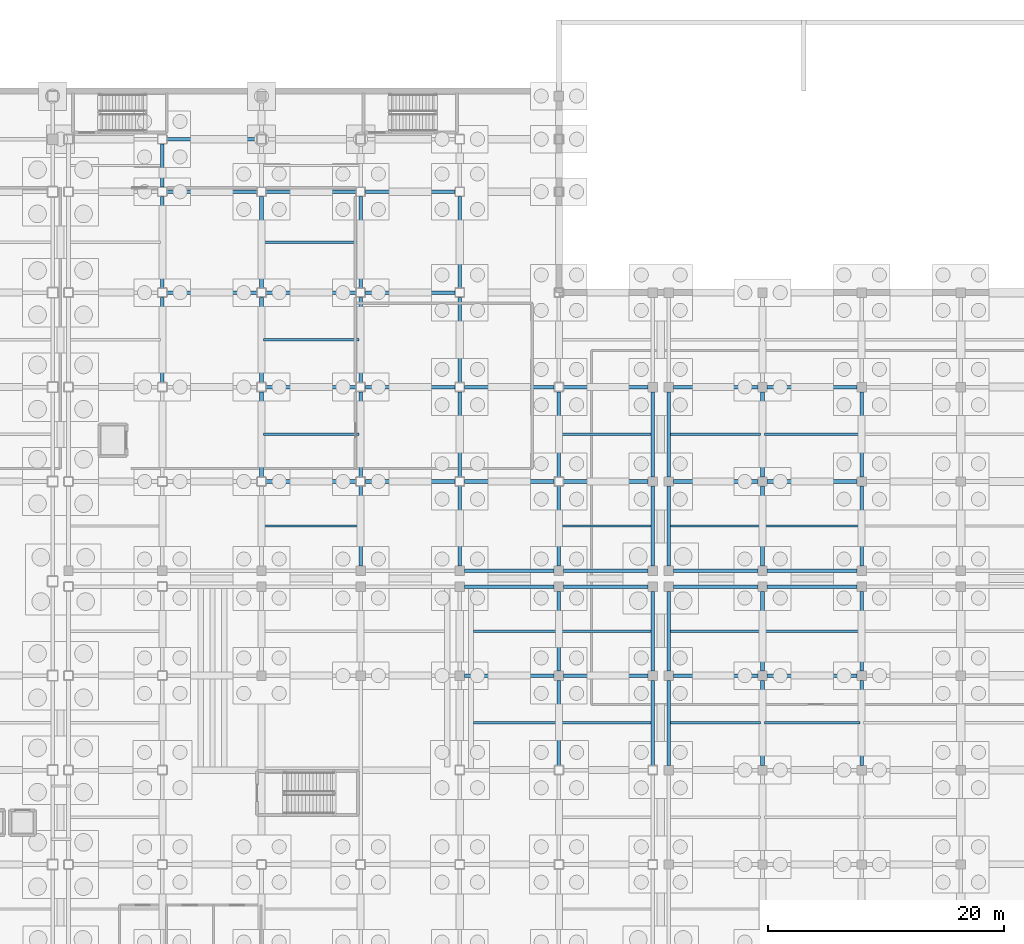
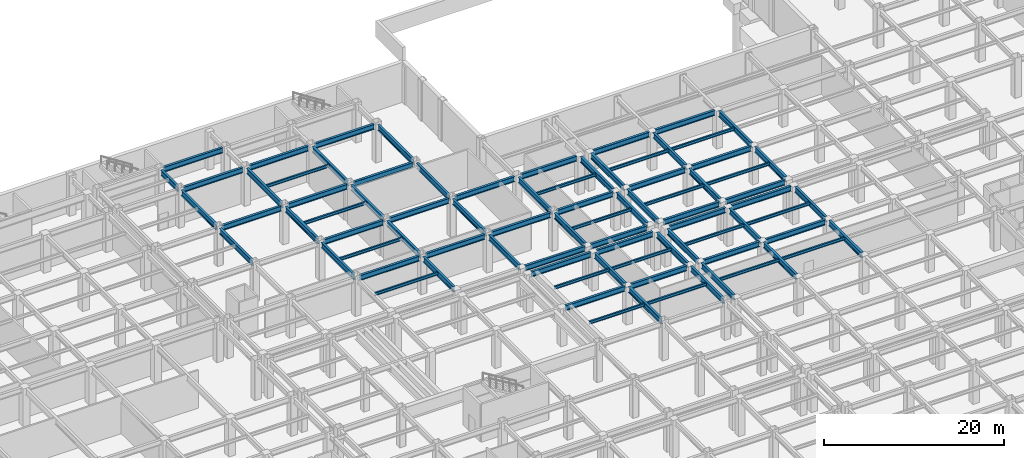
# One storey, part 27 of 55: 83 beams.
"""IFC4 building model written with IfcOpenShell, lengths in metres."""

from ifc_helpers import new_model, si_unit, direction, frame, origin, origin_2d, place, context, subcontext, project, spatial, i_section, extrude, material, material_profile, profile_set, type_object, element, save


model = new_model("IFC4")

# Units and contexts
model_context = context("Model", 3, precision=1e-05, world=origin(), true_north=direction((0.0, 1.0)))
body_context = subcontext(model_context, "Body", "Model", "MODEL_VIEW")
ifc_project = project(units=[si_unit("LENGTHUNIT", "METRE"), si_unit("AREAUNIT", "SQUARE_METRE"), si_unit("VOLUMEUNIT", "CUBIC_METRE"), si_unit("PLANEANGLEUNIT", "RADIAN"), si_unit("MASSUNIT", "GRAM", prefix="KILO")], contexts=[model_context])

# Site, building, storey
site_placement = place(None, origin())
site = spatial("IfcSite", under=ifc_project, at=site_placement, CompositionType="ELEMENT")
building_placement = place(site_placement, origin())
building = spatial("IfcBuilding", under=site, at=building_placement, Name="Kazehara Bluff Congress Hotel", CompositionType="ELEMENT")
storey_placement = place(building_placement, frame((0.0, 0.0, -5.39990234375)))
storey = spatial("IfcBuildingStorey", under=building, at=storey_placement, Name="B1", CompositionType="ELEMENT", Elevation=-5.39990234375)

# Beams
ifc_material_1 = material(Name="Steel SN490B", Category="steel")
ifc_material_profile_1 = material_profile(ifc_material_1, i_section(OverallWidth=0.300048828125, OverallDepth=0.699951171875, WebThickness=0.012939453125, FlangeThickness=0.02392578125, FilletRadius=0.01806640625, at=origin_2d()))
ifc_profile_set_1 = profile_set([ifc_material_profile_1], Name="Steel SN490B")
beam_type_1 = type_object("IfcBeamType", Name="TP-G-04", PredefinedType="BEAM", material=ifc_profile_set_1)
beam_1_placement = place(storey_placement, frame((93.25, 64.449951171875, 4.77001953125), z_axis=(1.0, 0.0, 0.0), x_axis=(0.0, 1.0, 0.0)))
element("IfcBeam", 1, at=beam_1_placement, inside=storey, type_object=beam_type_1, Name="B1 girder G-04 424", PredefinedType="BEAM", context=body_context, shape_type="SweptSolid", body=[
    extrude(i_section(OverallWidth=0.300048828125, OverallDepth=0.699951171875, WebThickness=0.012939453125, FlangeThickness=0.02392578125, FilletRadius=0.01806640625, at=origin_2d()), origin(), (0.0, 0.0, 1.0), 7.60009765625),
])
for number, where, z_axis, x_axis, name in (
    (2, (101.64990234375, 64.449951171875, 4.77001953125), (1.0, 0.0, 0.0), (0.0, 1.0, 0.0), "B1 girder G-04 425"),
    (3, (110.949951171875, 64.449951171875, 4.77001953125), (1.0, 0.0, 0.0), (0.0, 1.0, 0.0), "B1 girder G-04 426"),
):
    element("IfcBeam", number, at=place(storey_placement, frame(where, z_axis=z_axis, x_axis=x_axis)), inside=storey, type_object=beam_type_1, Name=name, PredefinedType="BEAM", context=body_context, shape_type="SweptSolid", body=[
        extrude(i_section(OverallWidth=0.300048828125, OverallDepth=0.699951171875, WebThickness=0.012939453125, FlangeThickness=0.02392578125, FilletRadius=0.01806640625, at=origin_2d()), origin(), (0.0, 0.0, 1.0), 7.150146484375),
    ])
for number, where, z_axis, x_axis, name in (
    (4, (118.89990234375, 64.449951171875, 4.77001953125), (1.0, 0.0, 0.0), (0.0, 1.0, 0.0), "B1 girder G-04 427"),
    (5, (93.25, 72.0, 4.77001953125), (1.0, 0.0, 0.0), (0.0, 1.0, 0.0), "B1 girder G-04 437"),
):
    element("IfcBeam", number, at=place(storey_placement, frame(where, z_axis=z_axis, x_axis=x_axis)), inside=storey, type_object=beam_type_1, Name=name, PredefinedType="BEAM", context=body_context, shape_type="SweptSolid", body=[
        extrude(i_section(OverallWidth=0.300048828125, OverallDepth=0.699951171875, WebThickness=0.012939453125, FlangeThickness=0.02392578125, FilletRadius=0.01806640625, at=origin_2d()), origin(), (0.0, 0.0, 1.0), 7.60009765625),
    ])
for number, where, z_axis, x_axis, name in (
    (6, (101.64990234375, 72.0, 4.77001953125), (1.0, 0.0, 0.0), (0.0, 1.0, 0.0), "B1 girder G-04 438"),
    (7, (110.949951171875, 72.0, 4.77001953125), (1.0, 0.0, 0.0), (0.0, 1.0, 0.0), "B1 girder G-04 439"),
):
    element("IfcBeam", number, at=place(storey_placement, frame(where, z_axis=z_axis, x_axis=x_axis)), inside=storey, type_object=beam_type_1, Name=name, PredefinedType="BEAM", context=body_context, shape_type="SweptSolid", body=[
        extrude(i_section(OverallWidth=0.300048828125, OverallDepth=0.699951171875, WebThickness=0.012939453125, FlangeThickness=0.02392578125, FilletRadius=0.01806640625, at=origin_2d()), origin(), (0.0, 0.0, 1.0), 7.150146484375),
    ])
for number, where, z_axis, x_axis, name in (
    (8, (118.89990234375, 72.0, 4.77001953125), (1.0, 0.0, 0.0), (0.0, 1.0, 0.0), "B1 girder G-04 440"),
    (9, (93.25, 73.35009765625, 4.77001953125), (1.0, 0.0, 0.0), (0.0, 1.0, 0.0), "B1 girder G-04 451"),
):
    element("IfcBeam", number, at=place(storey_placement, frame(where, z_axis=z_axis, x_axis=x_axis)), inside=storey, type_object=beam_type_1, Name=name, PredefinedType="BEAM", context=body_context, shape_type="SweptSolid", body=[
        extrude(i_section(OverallWidth=0.300048828125, OverallDepth=0.699951171875, WebThickness=0.012939453125, FlangeThickness=0.02392578125, FilletRadius=0.01806640625, at=origin_2d()), origin(), (0.0, 0.0, 1.0), 7.60009765625),
    ])
for number, where, z_axis, x_axis, name in (
    (10, (101.64990234375, 73.35009765625, 4.77001953125), (1.0, 0.0, 0.0), (0.0, 1.0, 0.0), "B1 girder G-04 452"),
    (11, (110.949951171875, 73.35009765625, 4.77001953125), (1.0, 0.0, 0.0), (0.0, 1.0, 0.0), "B1 girder G-04 453"),
):
    element("IfcBeam", number, at=place(storey_placement, frame(where, z_axis=z_axis, x_axis=x_axis)), inside=storey, type_object=beam_type_1, Name=name, PredefinedType="BEAM", context=body_context, shape_type="SweptSolid", body=[
        extrude(i_section(OverallWidth=0.300048828125, OverallDepth=0.699951171875, WebThickness=0.012939453125, FlangeThickness=0.02392578125, FilletRadius=0.01806640625, at=origin_2d()), origin(), (0.0, 0.0, 1.0), 7.150146484375),
    ])
for number, where, z_axis, x_axis, name in (
    (12, (118.89990234375, 73.35009765625, 4.77001953125), (1.0, 0.0, 0.0), (0.0, 1.0, 0.0), "B1 girder G-04 454"),
    (13, (76.449951171875, 80.89990234375, 4.77001953125), (1.0, 0.0, 0.0), (0.0, 1.0, 0.0), "B1 girder G-04 467"),
):
    element("IfcBeam", number, at=place(storey_placement, frame(where, z_axis=z_axis, x_axis=x_axis)), inside=storey, type_object=beam_type_1, Name=name, PredefinedType="BEAM", context=body_context, shape_type="SweptSolid", body=[
        extrude(i_section(OverallWidth=0.300048828125, OverallDepth=0.699951171875, WebThickness=0.012939453125, FlangeThickness=0.02392578125, FilletRadius=0.01806640625, at=origin_2d()), origin(), (0.0, 0.0, 1.0), 7.60009765625),
    ])
beam_2_placement = place(storey_placement, frame((84.85009765625, 80.89990234375, 4.77001953125), z_axis=(1.0, 0.0, 0.0), x_axis=(0.0, 1.0, 0.0)))
element("IfcBeam", 14, at=beam_2_placement, inside=storey, type_object=beam_type_1, Name="B1 girder G-04 468", PredefinedType="BEAM", context=body_context, shape_type="SweptSolid", body=[
    extrude(i_section(OverallWidth=0.300048828125, OverallDepth=0.699951171875, WebThickness=0.012939453125, FlangeThickness=0.02392578125, FilletRadius=0.01806640625, at=origin_2d()), origin(), (0.0, 0.0, 1.0), 7.599853515625),
])
beam_3_placement = place(storey_placement, frame((93.25, 80.89990234375, 4.77001953125), z_axis=(1.0, 0.0, 0.0), x_axis=(0.0, 1.0, 0.0)))
element("IfcBeam", 15, at=beam_3_placement, inside=storey, type_object=beam_type_1, Name="B1 girder G-04 469", PredefinedType="BEAM", context=body_context, shape_type="SweptSolid", body=[
    extrude(i_section(OverallWidth=0.300048828125, OverallDepth=0.699951171875, WebThickness=0.012939453125, FlangeThickness=0.02392578125, FilletRadius=0.01806640625, at=origin_2d()), origin(), (0.0, 0.0, 1.0), 7.60009765625),
])
for number, where, z_axis, x_axis, name in (
    (16, (101.64990234375, 80.89990234375, 4.77001953125), (1.0, 0.0, 0.0), (0.0, 1.0, 0.0), "B1 girder G-04 470"),
    (17, (110.949951171875, 80.89990234375, 4.77001953125), (1.0, 0.0, 0.0), (0.0, 1.0, 0.0), "B1 girder G-04 471"),
):
    element("IfcBeam", number, at=place(storey_placement, frame(where, z_axis=z_axis, x_axis=x_axis)), inside=storey, type_object=beam_type_1, Name=name, PredefinedType="BEAM", context=body_context, shape_type="SweptSolid", body=[
        extrude(i_section(OverallWidth=0.300048828125, OverallDepth=0.699951171875, WebThickness=0.012939453125, FlangeThickness=0.02392578125, FilletRadius=0.01806640625, at=origin_2d()), origin(), (0.0, 0.0, 1.0), 7.150146484375),
    ])
for number, where, z_axis, x_axis, name in (
    (18, (118.89990234375, 80.89990234375, 4.77001953125), (1.0, 0.0, 0.0), (0.0, 1.0, 0.0), "B1 girder G-04 472"),
    (19, (76.449951171875, 88.89990234375, 4.77001953125), (1.0, 0.0, 0.0), (0.0, 1.0, 0.0), "B1 girder G-04 487"),
):
    element("IfcBeam", number, at=place(storey_placement, frame(where, z_axis=z_axis, x_axis=x_axis)), inside=storey, type_object=beam_type_1, Name=name, PredefinedType="BEAM", context=body_context, shape_type="SweptSolid", body=[
        extrude(i_section(OverallWidth=0.300048828125, OverallDepth=0.699951171875, WebThickness=0.012939453125, FlangeThickness=0.02392578125, FilletRadius=0.01806640625, at=origin_2d()), origin(), (0.0, 0.0, 1.0), 7.60009765625),
    ])
beam_4_placement = place(storey_placement, frame((84.85009765625, 88.89990234375, 4.77001953125), z_axis=(1.0, 0.0, 0.0), x_axis=(0.0, 1.0, 0.0)))
element("IfcBeam", 20, at=beam_4_placement, inside=storey, type_object=beam_type_1, Name="B1 girder G-04 488", PredefinedType="BEAM", context=body_context, shape_type="SweptSolid", body=[
    extrude(i_section(OverallWidth=0.300048828125, OverallDepth=0.699951171875, WebThickness=0.012939453125, FlangeThickness=0.02392578125, FilletRadius=0.01806640625, at=origin_2d()), origin(), (0.0, 0.0, 1.0), 7.599853515625),
])
beam_5_placement = place(storey_placement, frame((93.25, 88.89990234375, 4.77001953125), z_axis=(1.0, 0.0, 0.0), x_axis=(0.0, 1.0, 0.0)))
element("IfcBeam", 21, at=beam_5_placement, inside=storey, type_object=beam_type_1, Name="B1 girder G-04 489", PredefinedType="BEAM", context=body_context, shape_type="SweptSolid", body=[
    extrude(i_section(OverallWidth=0.300048828125, OverallDepth=0.699951171875, WebThickness=0.012939453125, FlangeThickness=0.02392578125, FilletRadius=0.01806640625, at=origin_2d()), origin(), (0.0, 0.0, 1.0), 7.60009765625),
])
for number, where, z_axis, x_axis, name in (
    (22, (101.64990234375, 88.89990234375, 4.77001953125), (1.0, 0.0, 0.0), (0.0, 1.0, 0.0), "B1 girder G-04 490"),
    (23, (110.949951171875, 88.89990234375, 4.77001953125), (1.0, 0.0, 0.0), (0.0, 1.0, 0.0), "B1 girder G-04 491"),
):
    element("IfcBeam", number, at=place(storey_placement, frame(where, z_axis=z_axis, x_axis=x_axis)), inside=storey, type_object=beam_type_1, Name=name, PredefinedType="BEAM", context=body_context, shape_type="SweptSolid", body=[
        extrude(i_section(OverallWidth=0.300048828125, OverallDepth=0.699951171875, WebThickness=0.012939453125, FlangeThickness=0.02392578125, FilletRadius=0.01806640625, at=origin_2d()), origin(), (0.0, 0.0, 1.0), 7.150146484375),
    ])
beam_6_placement = place(storey_placement, frame((118.89990234375, 88.89990234375, 4.77001953125), z_axis=(1.0, 0.0, 0.0), x_axis=(0.0, 1.0, 0.0)))
element("IfcBeam", 24, at=beam_6_placement, inside=storey, type_object=beam_type_1, Name="B1 girder G-04 492", PredefinedType="BEAM", context=body_context, shape_type="SweptSolid", body=[
    extrude(i_section(OverallWidth=0.300048828125, OverallDepth=0.699951171875, WebThickness=0.012939453125, FlangeThickness=0.02392578125, FilletRadius=0.01806640625, at=origin_2d()), origin(), (0.0, 0.0, 1.0), 7.60009765625),
])
beam_7_placement = place(storey_placement, frame((68.050048828125, 96.89990234375, 4.77001953125), z_axis=(1.0, 0.0, 0.0), x_axis=(0.0, 1.0, 0.0)))
element("IfcBeam", 25, at=beam_7_placement, inside=storey, type_object=beam_type_1, Name="B1 girder G-04 506", PredefinedType="BEAM", context=body_context, shape_type="SweptSolid", body=[
    extrude(i_section(OverallWidth=0.300048828125, OverallDepth=0.699951171875, WebThickness=0.012939453125, FlangeThickness=0.02392578125, FilletRadius=0.01806640625, at=origin_2d()), origin(), (0.0, 0.0, 1.0), 7.599853515625),
])
beam_8_placement = place(storey_placement, frame((76.449951171875, 96.89990234375, 4.77001953125), z_axis=(1.0, 0.0, 0.0), x_axis=(0.0, 1.0, 0.0)))
element("IfcBeam", 26, at=beam_8_placement, inside=storey, type_object=beam_type_1, Name="B1 girder G-04 507", PredefinedType="BEAM", context=body_context, shape_type="SweptSolid", body=[
    extrude(i_section(OverallWidth=0.300048828125, OverallDepth=0.699951171875, WebThickness=0.012939453125, FlangeThickness=0.02392578125, FilletRadius=0.01806640625, at=origin_2d()), origin(), (0.0, 0.0, 1.0), 7.60009765625),
])
for number, where, z_axis, x_axis, name in (
    (27, (84.85009765625, 96.89990234375, 4.77001953125), (1.0, 0.0, 0.0), (0.0, 1.0, 0.0), "B1 girder G-04 508"),
    (28, (68.050048828125, 105.449951171875, 4.77001953125), (1.0, 0.0, 0.0), (0.0, 1.0, 0.0), "B1 girder G-04 519"),
):
    element("IfcBeam", number, at=place(storey_placement, frame(where, z_axis=z_axis, x_axis=x_axis)), inside=storey, type_object=beam_type_1, Name=name, PredefinedType="BEAM", context=body_context, shape_type="SweptSolid", body=[
        extrude(i_section(OverallWidth=0.300048828125, OverallDepth=0.699951171875, WebThickness=0.012939453125, FlangeThickness=0.02392578125, FilletRadius=0.01806640625, at=origin_2d()), origin(), (0.0, 0.0, 1.0), 7.599853515625),
    ])
beam_9_placement = place(storey_placement, frame((76.449951171875, 105.449951171875, 4.77001953125), z_axis=(1.0, 0.0, 0.0), x_axis=(0.0, 1.0, 0.0)))
element("IfcBeam", 29, at=beam_9_placement, inside=storey, type_object=beam_type_1, Name="B1 girder G-04 520", PredefinedType="BEAM", context=body_context, shape_type="SweptSolid", body=[
    extrude(i_section(OverallWidth=0.300048828125, OverallDepth=0.699951171875, WebThickness=0.012939453125, FlangeThickness=0.02392578125, FilletRadius=0.01806640625, at=origin_2d()), origin(), (0.0, 0.0, 1.0), 7.60009765625),
])
for number, where, z_axis, x_axis, name in (
    (30, (84.85009765625, 105.449951171875, 4.77001953125), (1.0, 0.0, 0.0), (0.0, 1.0, 0.0), "B1 girder G-04 521"),
    (31, (68.050048828125, 109.89990234375, 4.77001953125), (1.0, 0.0, 0.0), (0.0, 1.0, 0.0), "B1 girder G-04 530"),
):
    element("IfcBeam", number, at=place(storey_placement, frame(where, z_axis=z_axis, x_axis=x_axis)), inside=storey, type_object=beam_type_1, Name=name, PredefinedType="BEAM", context=body_context, shape_type="SweptSolid", body=[
        extrude(i_section(OverallWidth=0.300048828125, OverallDepth=0.699951171875, WebThickness=0.012939453125, FlangeThickness=0.02392578125, FilletRadius=0.01806640625, at=origin_2d()), origin(), (0.0, 0.0, 1.0), 7.599853515625),
    ])
ifc_material_2 = material(Name="Steel SN490B", Category="steel")
ifc_material_profile_2 = material_profile(ifc_material_2, i_section(OverallWidth=0.300048828125, OverallDepth=0.75, WebThickness=0.012939453125, FlangeThickness=0.02392578125, FilletRadius=0.01806640625, at=origin_2d()))
ifc_profile_set_2 = profile_set([ifc_material_profile_2], Name="Steel SN490B")
beam_type_2 = type_object("IfcBeamType", Name="TP-G-05", PredefinedType="BEAM", material=ifc_profile_set_2)
beam_10_placement = place(storey_placement, frame((67.64990234375, 89.300048828125, 4.744873046875), z_axis=(0.0, 1.0, 0.0), x_axis=(-1.0, 0.0, 0.0)))
element("IfcBeam", 32, at=beam_10_placement, inside=storey, type_object=beam_type_2, Name="B1 girder G-05 124", PredefinedType="BEAM", context=body_context, shape_type="SweptSolid", body=[
    extrude(i_section(OverallWidth=0.300048828125, OverallDepth=0.75, WebThickness=0.012939453125, FlangeThickness=0.02392578125, FilletRadius=0.01806640625, at=origin_2d()), origin(), (0.0, 0.0, 1.0), 7.199951171875),
])
beam_11_placement = place(storey_placement, frame((67.64990234375, 97.300048828125, 4.744873046875), z_axis=(0.0, 1.0, 0.0), x_axis=(-1.0, 0.0, 0.0)))
element("IfcBeam", 33, at=beam_11_placement, inside=storey, type_object=beam_type_2, Name="B1 girder G-05 125", PredefinedType="BEAM", context=body_context, shape_type="SweptSolid", body=[
    extrude(i_section(OverallWidth=0.300048828125, OverallDepth=0.75, WebThickness=0.012939453125, FlangeThickness=0.02392578125, FilletRadius=0.01806640625, at=origin_2d()), origin(), (0.0, 0.0, 1.0), 7.75),
])
beam_12_placement = place(storey_placement, frame((67.64990234375, 105.85009765625, 4.744873046875), z_axis=(0.0, 1.0, 0.0), x_axis=(-1.0, 0.0, 0.0)))
element("IfcBeam", 34, at=beam_12_placement, inside=storey, type_object=beam_type_2, Name="B1 girder G-05 126", PredefinedType="BEAM", context=body_context, shape_type="SweptSolid", body=[
    extrude(i_section(OverallWidth=0.300048828125, OverallDepth=0.75, WebThickness=0.012939453125, FlangeThickness=0.02392578125, FilletRadius=0.01806640625, at=origin_2d()), origin(), (0.0, 0.0, 1.0), 3.64990234375),
])
for number, where, z_axis, x_axis, name in (
    (35, (76.050048828125, 81.300048828125, 4.744873046875), (0.0, 1.0, 0.0), (-1.0, 0.0, 0.0), "B1 girder G-05 134"),
    (36, (76.050048828125, 89.300048828125, 4.744873046875), (0.0, 1.0, 0.0), (-1.0, 0.0, 0.0), "B1 girder G-05 135"),
):
    element("IfcBeam", number, at=place(storey_placement, frame(where, z_axis=z_axis, x_axis=x_axis)), inside=storey, type_object=beam_type_2, Name=name, PredefinedType="BEAM", context=body_context, shape_type="SweptSolid", body=[
        extrude(i_section(OverallWidth=0.300048828125, OverallDepth=0.75, WebThickness=0.012939453125, FlangeThickness=0.02392578125, FilletRadius=0.01806640625, at=origin_2d()), origin(), (0.0, 0.0, 1.0), 7.199951171875),
    ])
beam_13_placement = place(storey_placement, frame((76.050048828125, 97.300048828125, 4.744873046875), z_axis=(0.0, 1.0, 0.0), x_axis=(-1.0, 0.0, 0.0)))
element("IfcBeam", 37, at=beam_13_placement, inside=storey, type_object=beam_type_2, Name="B1 girder G-05 136", PredefinedType="BEAM", context=body_context, shape_type="SweptSolid", body=[
    extrude(i_section(OverallWidth=0.300048828125, OverallDepth=0.75, WebThickness=0.012939453125, FlangeThickness=0.02392578125, FilletRadius=0.01806640625, at=origin_2d()), origin(), (0.0, 0.0, 1.0), 7.75),
])
beam_14_placement = place(storey_placement, frame((84.449951171875, 73.75, 4.744873046875), z_axis=(0.0, 1.0, 0.0), x_axis=(-1.0, 0.0, 0.0)))
element("IfcBeam", 38, at=beam_14_placement, inside=storey, type_object=beam_type_2, Name="B1 girder G-05 145", PredefinedType="BEAM", context=body_context, shape_type="SweptSolid", body=[
    extrude(i_section(OverallWidth=0.300048828125, OverallDepth=0.75, WebThickness=0.012939453125, FlangeThickness=0.02392578125, FilletRadius=0.01806640625, at=origin_2d()), origin(), (0.0, 0.0, 1.0), 6.75),
])
for number, where, z_axis, x_axis, name in (
    (39, (84.449951171875, 81.300048828125, 4.744873046875), (0.0, 1.0, 0.0), (-1.0, 0.0, 0.0), "B1 girder G-05 146"),
    (40, (84.449951171875, 89.300048828125, 4.744873046875), (0.0, 1.0, 0.0), (-1.0, 0.0, 0.0), "B1 girder G-05 147"),
):
    element("IfcBeam", number, at=place(storey_placement, frame(where, z_axis=z_axis, x_axis=x_axis)), inside=storey, type_object=beam_type_2, Name=name, PredefinedType="BEAM", context=body_context, shape_type="SweptSolid", body=[
        extrude(i_section(OverallWidth=0.300048828125, OverallDepth=0.75, WebThickness=0.012939453125, FlangeThickness=0.02392578125, FilletRadius=0.01806640625, at=origin_2d()), origin(), (0.0, 0.0, 1.0), 7.199951171875),
    ])
beam_15_placement = place(storey_placement, frame((84.449951171875, 97.300048828125, 4.744873046875), z_axis=(0.0, 1.0, 0.0), x_axis=(-1.0, 0.0, 0.0)))
element("IfcBeam", 41, at=beam_15_placement, inside=storey, type_object=beam_type_2, Name="B1 girder G-05 148", PredefinedType="BEAM", context=body_context, shape_type="SweptSolid", body=[
    extrude(i_section(OverallWidth=0.300048828125, OverallDepth=0.75, WebThickness=0.012939453125, FlangeThickness=0.02392578125, FilletRadius=0.01806640625, at=origin_2d()), origin(), (0.0, 0.0, 1.0), 7.75),
])
beam_16_placement = place(storey_placement, frame((92.85009765625, 73.75, 4.744873046875), z_axis=(0.0, 1.0, 0.0), x_axis=(-1.0, 0.0, 0.0)))
element("IfcBeam", 42, at=beam_16_placement, inside=storey, type_object=beam_type_2, Name="B1 girder G-05 157", PredefinedType="BEAM", context=body_context, shape_type="SweptSolid", body=[
    extrude(i_section(OverallWidth=0.300048828125, OverallDepth=0.75, WebThickness=0.012939453125, FlangeThickness=0.02392578125, FilletRadius=0.01806640625, at=origin_2d()), origin(), (0.0, 0.0, 1.0), 6.75),
])
for number, where, z_axis, x_axis, name in (
    (43, (92.85009765625, 81.300048828125, 4.744873046875), (0.0, 1.0, 0.0), (-1.0, 0.0, 0.0), "B1 girder G-05 158"),
    (44, (92.85009765625, 89.300048828125, 4.744873046875), (0.0, 1.0, 0.0), (-1.0, 0.0, 0.0), "B1 girder G-05 159"),
):
    element("IfcBeam", number, at=place(storey_placement, frame(where, z_axis=z_axis, x_axis=x_axis)), inside=storey, type_object=beam_type_2, Name=name, PredefinedType="BEAM", context=body_context, shape_type="SweptSolid", body=[
        extrude(i_section(OverallWidth=0.300048828125, OverallDepth=0.75, WebThickness=0.012939453125, FlangeThickness=0.02392578125, FilletRadius=0.01806640625, at=origin_2d()), origin(), (0.0, 0.0, 1.0), 7.199951171875),
    ])
beam_17_placement = place(storey_placement, frame((92.85009765625, 97.300048828125, 4.744873046875), z_axis=(0.0, 1.0, 0.0), x_axis=(-1.0, 0.0, 0.0)))
element("IfcBeam", 45, at=beam_17_placement, inside=storey, type_object=beam_type_2, Name="B1 girder G-05 160", PredefinedType="BEAM", context=body_context, shape_type="SweptSolid", body=[
    extrude(i_section(OverallWidth=0.300048828125, OverallDepth=0.75, WebThickness=0.012939453125, FlangeThickness=0.02392578125, FilletRadius=0.01806640625, at=origin_2d()), origin(), (0.0, 0.0, 1.0), 7.75),
])
beam_18_placement = place(storey_placement, frame((101.25, 56.85009765625, 4.744873046875), z_axis=(0.0, 1.0, 0.0), x_axis=(-1.0, 0.0, 0.0)))
element("IfcBeam", 46, at=beam_18_placement, inside=storey, type_object=beam_type_2, Name="B1 girder G-05 167", PredefinedType="BEAM", context=body_context, shape_type="SweptSolid", body=[
    extrude(i_section(OverallWidth=0.300048828125, OverallDepth=0.75, WebThickness=0.012939453125, FlangeThickness=0.02392578125, FilletRadius=0.01806640625, at=origin_2d()), origin(), (0.0, 0.0, 1.0), 7.199951171875),
])
for number, where, z_axis, x_axis, name in (
    (47, (101.25, 64.85009765625, 4.744873046875), (0.0, 1.0, 0.0), (-1.0, 0.0, 0.0), "B1 girder G-05 168"),
    (48, (101.25, 73.75, 4.744873046875), (0.0, 1.0, 0.0), (-1.0, 0.0, 0.0), "B1 girder G-05 169"),
):
    element("IfcBeam", number, at=place(storey_placement, frame(where, z_axis=z_axis, x_axis=x_axis)), inside=storey, type_object=beam_type_2, Name=name, PredefinedType="BEAM", context=body_context, shape_type="SweptSolid", body=[
        extrude(i_section(OverallWidth=0.300048828125, OverallDepth=0.75, WebThickness=0.012939453125, FlangeThickness=0.02392578125, FilletRadius=0.01806640625, at=origin_2d()), origin(), (0.0, 0.0, 1.0), 6.75),
    ])
for number, where, z_axis, x_axis, name in (
    (49, (101.25, 81.300048828125, 4.744873046875), (0.0, 1.0, 0.0), (-1.0, 0.0, 0.0), "B1 girder G-05 170"),
    (50, (109.199951171875, 56.85009765625, 4.744873046875), (0.0, 1.0, 0.0), (-1.0, 0.0, 0.0), "B1 girder G-05 177"),
):
    element("IfcBeam", number, at=place(storey_placement, frame(where, z_axis=z_axis, x_axis=x_axis)), inside=storey, type_object=beam_type_2, Name=name, PredefinedType="BEAM", context=body_context, shape_type="SweptSolid", body=[
        extrude(i_section(OverallWidth=0.300048828125, OverallDepth=0.75, WebThickness=0.012939453125, FlangeThickness=0.02392578125, FilletRadius=0.01806640625, at=origin_2d()), origin(), (0.0, 0.0, 1.0), 7.199951171875),
    ])
for number, where, z_axis, x_axis, name in (
    (51, (109.199951171875, 64.85009765625, 4.744873046875), (0.0, 1.0, 0.0), (-1.0, 0.0, 0.0), "B1 girder G-05 178"),
    (52, (109.199951171875, 73.75, 4.744873046875), (0.0, 1.0, 0.0), (-1.0, 0.0, 0.0), "B1 girder G-05 179"),
):
    element("IfcBeam", number, at=place(storey_placement, frame(where, z_axis=z_axis, x_axis=x_axis)), inside=storey, type_object=beam_type_2, Name=name, PredefinedType="BEAM", context=body_context, shape_type="SweptSolid", body=[
        extrude(i_section(OverallWidth=0.300048828125, OverallDepth=0.75, WebThickness=0.012939453125, FlangeThickness=0.02392578125, FilletRadius=0.01806640625, at=origin_2d()), origin(), (0.0, 0.0, 1.0), 6.75),
    ])
for number, where, z_axis, x_axis, name in (
    (53, (109.199951171875, 81.300048828125, 4.744873046875), (0.0, 1.0, 0.0), (-1.0, 0.0, 0.0), "B1 girder G-05 180"),
    (54, (110.550048828125, 56.85009765625, 4.744873046875), (0.0, 1.0, 0.0), (-1.0, 0.0, 0.0), "B1 girder G-05 187"),
):
    element("IfcBeam", number, at=place(storey_placement, frame(where, z_axis=z_axis, x_axis=x_axis)), inside=storey, type_object=beam_type_2, Name=name, PredefinedType="BEAM", context=body_context, shape_type="SweptSolid", body=[
        extrude(i_section(OverallWidth=0.300048828125, OverallDepth=0.75, WebThickness=0.012939453125, FlangeThickness=0.02392578125, FilletRadius=0.01806640625, at=origin_2d()), origin(), (0.0, 0.0, 1.0), 7.199951171875),
    ])
for number, where, z_axis, x_axis, name in (
    (55, (110.550048828125, 64.85009765625, 4.744873046875), (0.0, 1.0, 0.0), (-1.0, 0.0, 0.0), "B1 girder G-05 188"),
    (56, (110.550048828125, 73.75, 4.744873046875), (0.0, 1.0, 0.0), (-1.0, 0.0, 0.0), "B1 girder G-05 189"),
):
    element("IfcBeam", number, at=place(storey_placement, frame(where, z_axis=z_axis, x_axis=x_axis)), inside=storey, type_object=beam_type_2, Name=name, PredefinedType="BEAM", context=body_context, shape_type="SweptSolid", body=[
        extrude(i_section(OverallWidth=0.300048828125, OverallDepth=0.75, WebThickness=0.012939453125, FlangeThickness=0.02392578125, FilletRadius=0.01806640625, at=origin_2d()), origin(), (0.0, 0.0, 1.0), 6.75),
    ])
for number, where, z_axis, x_axis, name in (
    (57, (110.550048828125, 81.300048828125, 4.744873046875), (0.0, 1.0, 0.0), (-1.0, 0.0, 0.0), "B1 girder G-05 190"),
    (58, (118.5, 56.85009765625, 4.744873046875), (0.0, 1.0, 0.0), (-1.0, 0.0, 0.0), "B1 girder G-05 198"),
):
    element("IfcBeam", number, at=place(storey_placement, frame(where, z_axis=z_axis, x_axis=x_axis)), inside=storey, type_object=beam_type_2, Name=name, PredefinedType="BEAM", context=body_context, shape_type="SweptSolid", body=[
        extrude(i_section(OverallWidth=0.300048828125, OverallDepth=0.75, WebThickness=0.012939453125, FlangeThickness=0.02392578125, FilletRadius=0.01806640625, at=origin_2d()), origin(), (0.0, 0.0, 1.0), 7.199951171875),
    ])
for number, where, z_axis, x_axis, name in (
    (59, (118.5, 64.85009765625, 4.744873046875), (0.0, 1.0, 0.0), (-1.0, 0.0, 0.0), "B1 girder G-05 199"),
    (60, (118.5, 73.75, 4.744873046875), (0.0, 1.0, 0.0), (-1.0, 0.0, 0.0), "B1 girder G-05 200"),
):
    element("IfcBeam", number, at=place(storey_placement, frame(where, z_axis=z_axis, x_axis=x_axis)), inside=storey, type_object=beam_type_2, Name=name, PredefinedType="BEAM", context=body_context, shape_type="SweptSolid", body=[
        extrude(i_section(OverallWidth=0.300048828125, OverallDepth=0.75, WebThickness=0.012939453125, FlangeThickness=0.02392578125, FilletRadius=0.01806640625, at=origin_2d()), origin(), (0.0, 0.0, 1.0), 6.75),
    ])
for number, where, z_axis, x_axis, name in (
    (61, (118.5, 81.300048828125, 4.744873046875), (0.0, 1.0, 0.0), (-1.0, 0.0, 0.0), "B1 girder G-05 201"),
    (62, (126.89990234375, 56.85009765625, 4.744873046875), (0.0, 1.0, 0.0), (-1.0, 0.0, 0.0), "B1 girder G-05 209"),
):
    element("IfcBeam", number, at=place(storey_placement, frame(where, z_axis=z_axis, x_axis=x_axis)), inside=storey, type_object=beam_type_2, Name=name, PredefinedType="BEAM", context=body_context, shape_type="SweptSolid", body=[
        extrude(i_section(OverallWidth=0.300048828125, OverallDepth=0.75, WebThickness=0.012939453125, FlangeThickness=0.02392578125, FilletRadius=0.01806640625, at=origin_2d()), origin(), (0.0, 0.0, 1.0), 7.199951171875),
    ])
for number, where, z_axis, x_axis, name in (
    (63, (126.89990234375, 64.85009765625, 4.744873046875), (0.0, 1.0, 0.0), (-1.0, 0.0, 0.0), "B1 girder G-05 210"),
    (64, (126.89990234375, 73.75, 4.744873046875), (0.0, 1.0, 0.0), (-1.0, 0.0, 0.0), "B1 girder G-05 211"),
):
    element("IfcBeam", number, at=place(storey_placement, frame(where, z_axis=z_axis, x_axis=x_axis)), inside=storey, type_object=beam_type_2, Name=name, PredefinedType="BEAM", context=body_context, shape_type="SweptSolid", body=[
        extrude(i_section(OverallWidth=0.300048828125, OverallDepth=0.75, WebThickness=0.012939453125, FlangeThickness=0.02392578125, FilletRadius=0.01806640625, at=origin_2d()), origin(), (0.0, 0.0, 1.0), 6.75),
    ])
beam_19_placement = place(storey_placement, frame((126.89990234375, 81.300048828125, 4.744873046875), z_axis=(0.0, 1.0, 0.0), x_axis=(-1.0, 0.0, 0.0)))
element("IfcBeam", 65, at=beam_19_placement, inside=storey, type_object=beam_type_2, Name="B1 girder G-05 212", PredefinedType="BEAM", context=body_context, shape_type="SweptSolid", body=[
    extrude(i_section(OverallWidth=0.300048828125, OverallDepth=0.75, WebThickness=0.012939453125, FlangeThickness=0.02392578125, FilletRadius=0.01806640625, at=origin_2d()), origin(), (0.0, 0.0, 1.0), 7.199951171875),
])
ifc_material_3 = material(Name="Steel SN400B", Category="steel")
ifc_material_profile_3 = material_profile(ifc_material_3, i_section(OverallWidth=0.199951171875, OverallDepth=0.39990234375, WebThickness=0.008056640625, FlangeThickness=0.012939453125, FilletRadius=0.012939453125, at=origin_2d()))
ifc_profile_set_3 = profile_set([ifc_material_profile_3], Name="Steel SN400B")
beam_type_3 = type_object("IfcBeamType", Name="TP-J-03", PredefinedType="JOIST", material=ifc_profile_set_3)
for number, where, z_axis, x_axis, name in (
    (66, (76.199951171875, 77.125, 4.919921875), (1.0, 0.0, 0.0), (0.0, 1.0, 0.0), "B1 secondary joist J-03 74"),
    (67, (76.199951171875, 84.89990234375, 4.919921875), (1.0, 0.0, 0.0), (0.0, 1.0, 0.0), "B1 secondary joist J-03 75"),
    (68, (76.199951171875, 92.89990234375, 4.919921875), (1.0, 0.0, 0.0), (0.0, 1.0, 0.0), "B1 secondary joist J-03 76"),
    (69, (76.199951171875, 101.175048828125, 4.919921875), (1.0, 0.0, 0.0), (0.0, 1.0, 0.0), "B1 secondary joist J-03 77"),
):
    element("IfcBeam", number, at=place(storey_placement, frame(where, z_axis=z_axis, x_axis=x_axis)), inside=storey, type_object=beam_type_3, Name=name, PredefinedType="JOIST", context=body_context, shape_type="SweptSolid", body=[
        extrude(i_section(OverallWidth=0.199951171875, OverallDepth=0.39990234375, WebThickness=0.008056640625, FlangeThickness=0.012939453125, FilletRadius=0.012939453125, at=origin_2d()), origin(), (0.0, 0.0, 1.0), 8.10009765625),
    ])
for number, where, z_axis, x_axis, name in (
    (70, (94.02490234375, 60.449951171875, 4.919921875), (1.0, 0.0, 0.0), (0.0, 1.0, 0.0), "B1 secondary joist J-03 80"),
    (71, (94.02490234375, 68.22509765625, 4.919921875), (1.0, 0.0, 0.0), (0.0, 1.0, 0.0), "B1 secondary joist J-03 81"),
):
    element("IfcBeam", number, at=place(storey_placement, frame(where, z_axis=z_axis, x_axis=x_axis)), inside=storey, type_object=beam_type_3, Name=name, PredefinedType="JOIST", context=body_context, shape_type="SweptSolid", body=[
        extrude(i_section(OverallWidth=0.199951171875, OverallDepth=0.39990234375, WebThickness=0.008056640625, FlangeThickness=0.012939453125, FilletRadius=0.012939453125, at=origin_2d()), origin(), (0.0, 0.0, 1.0), 7.0751953125),
    ])
for number, where, z_axis, x_axis, name in (
    (72, (101.39990234375, 60.449951171875, 4.919921875), (1.0, 0.0, 0.0), (0.0, 1.0, 0.0), "B1 secondary joist J-03 87"),
    (73, (101.39990234375, 68.22509765625, 4.919921875), (1.0, 0.0, 0.0), (0.0, 1.0, 0.0), "B1 secondary joist J-03 88"),
    (74, (101.39990234375, 77.125, 4.919921875), (1.0, 0.0, 0.0), (0.0, 1.0, 0.0), "B1 secondary joist J-03 89"),
    (75, (101.39990234375, 84.89990234375, 4.919921875), (1.0, 0.0, 0.0), (0.0, 1.0, 0.0), "B1 secondary joist J-03 90"),
    (76, (110.699951171875, 60.449951171875, 4.919921875), (1.0, 0.0, 0.0), (0.0, 1.0, 0.0), "B1 secondary joist J-03 97"),
    (77, (110.699951171875, 68.22509765625, 4.919921875), (1.0, 0.0, 0.0), (0.0, 1.0, 0.0), "B1 secondary joist J-03 98"),
    (78, (110.699951171875, 77.125, 4.919921875), (1.0, 0.0, 0.0), (0.0, 1.0, 0.0), "B1 secondary joist J-03 99"),
    (79, (110.699951171875, 84.89990234375, 4.919921875), (1.0, 0.0, 0.0), (0.0, 1.0, 0.0), "B1 secondary joist J-03 100"),
):
    element("IfcBeam", number, at=place(storey_placement, frame(where, z_axis=z_axis, x_axis=x_axis)), inside=storey, type_object=beam_type_3, Name=name, PredefinedType="JOIST", context=body_context, shape_type="SweptSolid", body=[
        extrude(i_section(OverallWidth=0.199951171875, OverallDepth=0.39990234375, WebThickness=0.008056640625, FlangeThickness=0.012939453125, FilletRadius=0.012939453125, at=origin_2d()), origin(), (0.0, 0.0, 1.0), 7.650146484375),
    ])
for number, where, z_axis, x_axis, name in (
    (80, (118.64990234375, 60.449951171875, 4.919921875), (1.0, 0.0, 0.0), (0.0, 1.0, 0.0), "B1 secondary joist J-03 108"),
    (81, (118.64990234375, 68.22509765625, 4.919921875), (1.0, 0.0, 0.0), (0.0, 1.0, 0.0), "B1 secondary joist J-03 109"),
    (82, (118.64990234375, 77.125, 4.919921875), (1.0, 0.0, 0.0), (0.0, 1.0, 0.0), "B1 secondary joist J-03 110"),
    (83, (118.64990234375, 84.89990234375, 4.919921875), (1.0, 0.0, 0.0), (0.0, 1.0, 0.0), "B1 secondary joist J-03 111"),
):
    element("IfcBeam", number, at=place(storey_placement, frame(where, z_axis=z_axis, x_axis=x_axis)), inside=storey, type_object=beam_type_3, Name=name, PredefinedType="JOIST", context=body_context, shape_type="SweptSolid", body=[
        extrude(i_section(OverallWidth=0.199951171875, OverallDepth=0.39990234375, WebThickness=0.008056640625, FlangeThickness=0.012939453125, FilletRadius=0.012939453125, at=origin_2d()), origin(), (0.0, 0.0, 1.0), 8.10009765625),
    ])

save(model, "model.ifc")
